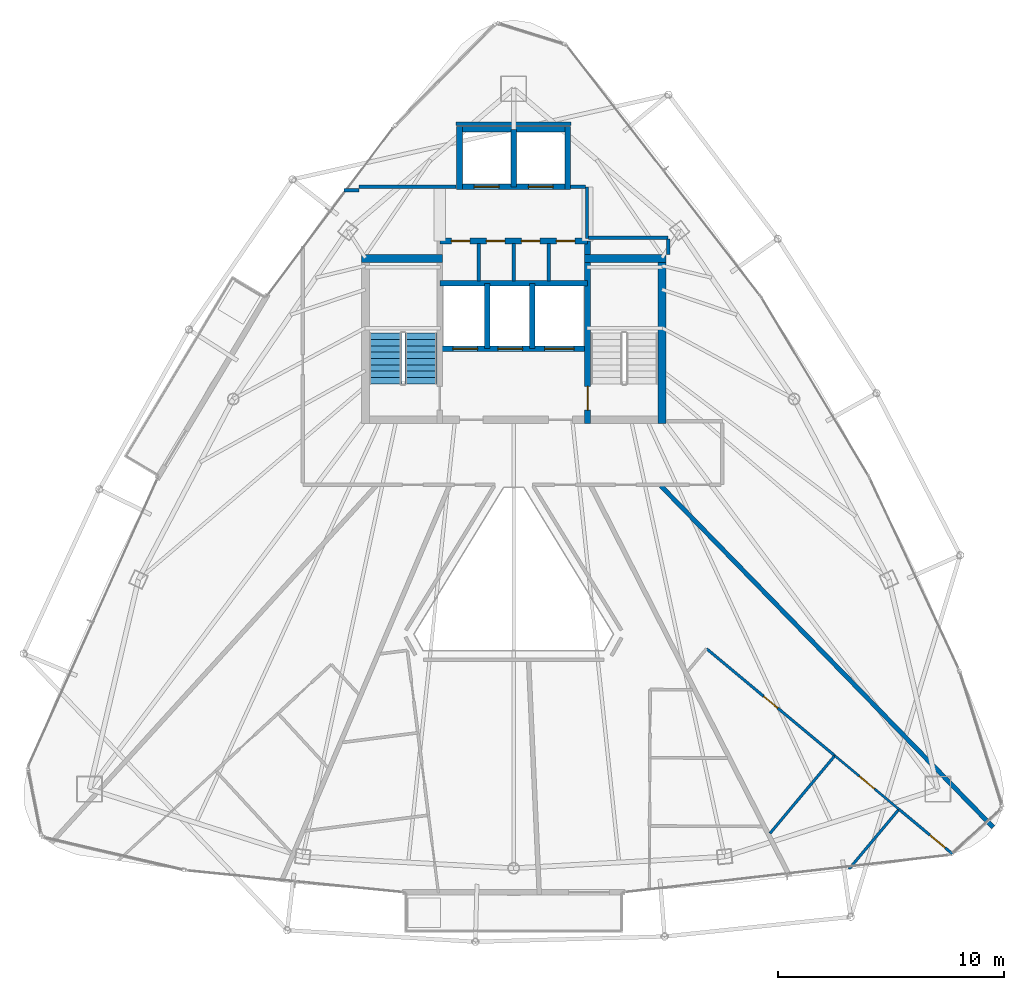
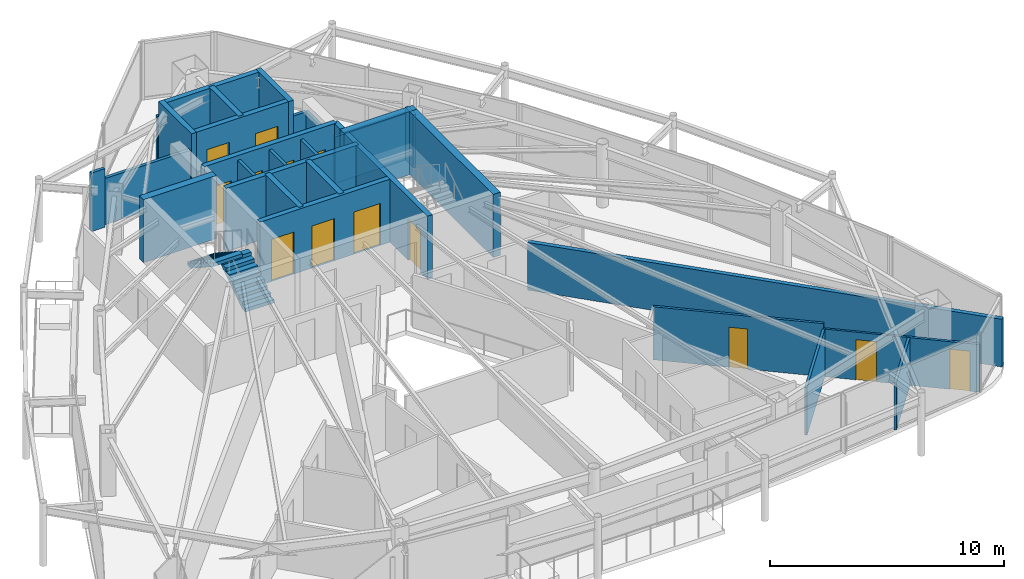
# One storey, part 27 of 30: 30 walls, 13 doors, 2 stair flights, 13 openings, 1 element without a shape of its own.
"""IFC4 building model written with IfcOpenShell, lengths in metres."""

from ifc_helpers import new_model, si_unit, direction, frame, frame_2d, origin, place, context, subcontext, project, spatial, polyline, rectangle, outline, extrude, material, layer, layer_set, type_object, element, fill, aggregate, save


model = new_model("IFC4")

# Units and contexts
model_context = context("Model", 3, precision=1e-05, world=origin(), true_north=direction((0.0, 1.0)))
body_context = subcontext(model_context, "Body", "Model", "MODEL_VIEW")
ifc_project = project(units=[si_unit("LENGTHUNIT", "METRE"), si_unit("AREAUNIT", "SQUARE_METRE"), si_unit("VOLUMEUNIT", "CUBIC_METRE"), si_unit("PLANEANGLEUNIT", "RADIAN"), si_unit("MASSUNIT", "GRAM", prefix="KILO")], contexts=[model_context])

# Site, building, storey
site_placement = place(None, origin())
site = spatial("IfcSite", under=ifc_project, at=site_placement, CompositionType="ELEMENT")
building_placement = place(site_placement, origin())
building = spatial("IfcBuilding", under=site, at=building_placement, Name="Orvanel Arch Residences", CompositionType="ELEMENT")
storey_placement = place(building_placement, frame((0.0, 0.0, 270.050048828125)))
storey = spatial("IfcBuildingStorey", under=building, at=storey_placement, Name="L77", CompositionType="ELEMENT", Elevation=270.050048828125)

# Wall, opening, door
ifc_material_1 = material(Name="Concrete N50 (50 MPa)", Category="concrete")
ifc_layer_1 = layer(ifc_material_1, 0.25)
ifc_layer_set_1 = layer_set([ifc_layer_1], Name="Concrete N50 (50 MPa)")
wall_type_1 = type_object("IfcWallType", Name="SW-CORE-250", PredefinedType="SHEAR", material=ifc_layer_set_1)
wall_1_placement = place(storey_placement, frame((36.27490234375, 26.550048828125, 0.0), z_axis=(0.0, 0.0, 1.0), x_axis=(0.0, 1.0, 0.0)))
wall_1 = element("IfcWall", 1, at=wall_1_placement, inside=storey, type_object=wall_type_1, Name="L77 East Inner Core Spine Shear Wall", PredefinedType="SHEAR", context=body_context, shape_type="SweptSolid", body=[
    extrude(rectangle(XDim=8.099853515625, YDim=0.25, at=frame_2d((4.0498046875, 0.0))), origin(), (0.0, 0.0, 1.0), 3.300048828125),
])
opening_1_placement = place(wall_1_placement, frame((0.60009765625, 0.0, 0.0)))
opening_1 = element("IfcOpeningElement", 2, at=opening_1_placement, cuts=wall_1, Name="Opening DF-120", PredefinedType="OPENING", context=body_context, shape_type="SweptSolid", body=[
    extrude(rectangle(XDim=1.050048828125, YDim=2.14990234375, at=frame_2d((0.52490234375, 1.074951171875))), frame((0.0, 0.135009765625, 0.0), z_axis=(0.0, -1.0, 0.0), x_axis=(1.0, 0.0, 0.0)), (0.0, 0.0, 1.0), 0.27001953125),
])
ifc_material_2 = material(Name="Galvanised steel fire-resisting door assembly", Category="steel")
door_type_1 = type_object("IfcDoorType", Name="DR-FD120-1050", OperationType="NOTDEFINED", PredefinedType="DOOR", material=ifc_material_2)
door_1_placement = place(opening_1_placement, origin())
door_1 = element("IfcDoor", 3, at=door_1_placement, inside=storey, type_object=door_type_1, Name="DR-L77-ST2 L77 Stair 2 Fire Door", OperationType="SINGLE_SWING_RIGHT", OverallHeight=2.14990234375, OverallWidth=1.050048828125, PredefinedType="DOOR", context=body_context, shape_type="SweptSolid", body=[
    extrude(rectangle(XDim=1.050048828125, YDim=2.14990234375, at=frame_2d((0.52490234375, 1.074951171875))), frame((0.0, 0.02490234375, 0.0), z_axis=(0.0, -1.0, 0.0), x_axis=(1.0, 0.0, 0.0)), (0.0, 0.0, 1.0), 0.050048828125),
])
fill(opening_1, door_1)

# Wall, openings, doors
wall_2_placement = place(storey_placement, frame((36.27490234375, 29.875, 0.0), z_axis=(0.0, 0.0, 1.0), x_axis=(-1.0, 0.0, 0.0)))
wall_2 = element("IfcWall", 4, at=wall_2_placement, inside=storey, type_object=wall_type_1, Name="L77 Emergency Lift Front Core Shear Wall", PredefinedType="SHEAR", context=body_context, shape_type="SweptSolid", body=[
    extrude(rectangle(XDim=6.5498046875, YDim=0.25, at=frame_2d((3.27490234375, 0.0))), origin(), (0.0, 0.0, 1.0), 3.300048828125),
])
opening_2_placement = place(wall_2_placement, frame((4.875, 0.0, 0.0)))
opening_2 = element("IfcOpeningElement", 5, at=opening_2_placement, cuts=wall_2, Name="Opening LD-110", PredefinedType="OPENING", context=body_context, shape_type="SweptSolid", body=[
    extrude(rectangle(XDim=1.10009765625, YDim=2.199951171875, at=frame_2d((0.550048828125, 1.10009765625))), frame((0.0, 0.135009765625, 0.0), z_axis=(0.0, -1.0, 0.0), x_axis=(1.0, 0.0, 0.0)), (0.0, 0.0, 1.0), 0.27001953125),
])
opening_3_placement = place(wall_2_placement, frame((2.875, 0.0, 0.0)))
opening_3 = element("IfcOpeningElement", 6, at=opening_3_placement, cuts=wall_2, Name="Opening LD-110", PredefinedType="OPENING", context=body_context, shape_type="SweptSolid", body=[
    extrude(rectangle(XDim=1.10009765625, YDim=2.199951171875, at=frame_2d((0.550048828125, 1.10009765625))), frame((0.0, 0.135009765625, 0.0), z_axis=(0.0, -1.0, 0.0), x_axis=(1.0, 0.0, 0.0)), (0.0, 0.0, 1.0), 0.27001953125),
])
opening_4_placement = place(wall_2_placement, frame((0.60009765625, 0.0, 0.0)))
opening_4 = element("IfcOpeningElement", 7, at=opening_4_placement, cuts=wall_2, Name="Opening LD-130", PredefinedType="OPENING", context=body_context, shape_type="SweptSolid", body=[
    extrude(rectangle(XDim=1.300048828125, YDim=2.199951171875, at=frame_2d((0.64990234375, 1.10009765625))), frame((0.0, 0.135009765625, 0.0), z_axis=(0.0, -1.0, 0.0), x_axis=(1.0, 0.0, 0.0)), (0.0, 0.0, 1.0), 0.27001953125),
])
door_type_2 = type_object("IfcDoorType", Name="DR-LFT-1100", OperationType="NOTDEFINED", PredefinedType="DOOR", material=ifc_material_2)
door_2_placement = place(opening_2_placement, origin())
door_2 = element("IfcDoor", 8, at=door_2_placement, inside=storey, type_object=door_type_2, Name="LD-F1-L77 L77 Lift F1 Sliding Landing Door", OperationType="DOUBLE_DOOR_SLIDING", OverallHeight=2.199951171875, OverallWidth=1.10009765625, PredefinedType="DOOR", context=body_context, shape_type="SweptSolid", body=[
    extrude(rectangle(XDim=1.10009765625, YDim=2.199951171875, at=frame_2d((0.550048828125, 1.10009765625))), frame((0.0, 0.02490234375, 0.0), z_axis=(0.0, -1.0, 0.0), x_axis=(1.0, 0.0, 0.0)), (0.0, 0.0, 1.0), 0.050048828125),
])
fill(opening_2, door_2)
door_3_placement = place(opening_3_placement, origin())
door_3 = element("IfcDoor", 9, at=door_3_placement, inside=storey, type_object=door_type_2, Name="LD-F2-L77 L77 Lift F2 Sliding Landing Door", OperationType="DOUBLE_DOOR_SLIDING", OverallHeight=2.199951171875, OverallWidth=1.10009765625, PredefinedType="DOOR", context=body_context, shape_type="SweptSolid", body=[
    extrude(rectangle(XDim=1.10009765625, YDim=2.199951171875, at=frame_2d((0.550048828125, 1.10009765625))), frame((0.0, 0.02490234375, 0.0), z_axis=(0.0, -1.0, 0.0), x_axis=(1.0, 0.0, 0.0)), (0.0, 0.0, 1.0), 0.050048828125),
])
fill(opening_3, door_3)
door_type_3 = type_object("IfcDoorType", Name="DR-LFT-1300", OperationType="NOTDEFINED", PredefinedType="DOOR", material=ifc_material_2)
door_4_placement = place(opening_4_placement, origin())
door_4 = element("IfcDoor", 10, at=door_4_placement, inside=storey, type_object=door_type_3, Name="LD-G1-L77 L77 Lift G1 Sliding Landing Door", OperationType="DOUBLE_DOOR_SLIDING", OverallHeight=2.199951171875, OverallWidth=1.300048828125, PredefinedType="DOOR", context=body_context, shape_type="SweptSolid", body=[
    extrude(rectangle(XDim=1.300048828125, YDim=2.199951171875, at=frame_2d((0.64990234375, 1.10009765625))), frame((0.0, 0.02490234375, 0.0), z_axis=(0.0, -1.0, 0.0), x_axis=(1.0, 0.0, 0.0)), (0.0, 0.0, 1.0), 0.050048828125),
])
fill(opening_4, door_4)

# Walls
wall_3_placement = place(storey_placement, frame((29.72509765625, 32.77490234375, 0.0), z_axis=(0.0, 0.0, 1.0), x_axis=(1.0, 0.0, 0.0)))
element("IfcWall", 11, at=wall_3_placement, inside=storey, type_object=wall_type_1, Name="L77 Emergency Lift Back Core Shear Wall", PredefinedType="SHEAR", context=body_context, shape_type="SweptSolid", body=[
    extrude(rectangle(XDim=6.5498046875, YDim=0.25, at=frame_2d((3.27490234375, 0.0))), origin(), (0.0, 0.0, 1.0), 3.300048828125),
])
for number, where, z_axis, x_axis, name in (
    (12, (31.824951171875, 29.875, 0.0), (0.0, 0.0, 1.0), (0.0, 1.0, 0.0), "L77 Emergency Lift Inter-Shaft Wall F12"),
    (13, (33.824951171875, 29.875, 0.0), (0.0, 0.0, 1.0), (0.0, 1.0, 0.0), "L77 Emergency Lift Inter-Shaft Wall F2G"),
):
    element("IfcWall", number, at=place(storey_placement, frame(where, z_axis=z_axis, x_axis=x_axis)), inside=storey, type_object=wall_type_1, Name=name, PredefinedType="SHEAR", context=body_context, shape_type="SweptSolid", body=[
        extrude(rectangle(XDim=2.89990234375, YDim=0.25, at=frame_2d((1.449951171875, 0.0))), origin(), (0.0, 0.0, 1.0), 3.300048828125),
    ])

# Wall, openings, doors
wall_4_placement = place(storey_placement, frame((29.72509765625, 34.64990234375, 0.0), z_axis=(0.0, 0.0, 1.0), x_axis=(1.0, 0.0, 0.0)))
wall_4 = element("IfcWall", 14, at=wall_4_placement, inside=storey, type_object=wall_type_1, Name="L77 Core Service Band North Shear Wall", PredefinedType="SHEAR", context=body_context, shape_type="SweptSolid", body=[
    extrude(rectangle(XDim=6.5498046875, YDim=0.25, at=frame_2d((3.27490234375, 0.0))), origin(), (0.0, 0.0, 1.0), 3.300048828125),
])
opening_5_placement = place(wall_4_placement, frame((0.514892578125, 0.0, 0.0)))
opening_5 = element("IfcOpeningElement", 15, at=opening_5_placement, cuts=wall_4, Name="Opening DS-082", PredefinedType="OPENING", context=body_context, shape_type="SweptSolid", body=[
    extrude(rectangle(XDim=0.820068359375, YDim=2.10009765625, at=frame_2d((0.41015625, 1.050048828125))), frame((0.0, 0.135009765625, 0.0), z_axis=(0.0, -1.0, 0.0), x_axis=(1.0, 0.0, 0.0)), (0.0, 0.0, 1.0), 0.27001953125),
])
opening_6_placement = place(wall_4_placement, frame((2.06494140625, 0.0, 0.0)))
opening_6 = element("IfcOpeningElement", 16, at=opening_6_placement, cuts=wall_4, Name="Opening DS-082", PredefinedType="OPENING", context=body_context, shape_type="SweptSolid", body=[
    extrude(rectangle(XDim=0.820068359375, YDim=2.10009765625, at=frame_2d((0.41015625, 1.050048828125))), frame((0.0, 0.135009765625, 0.0), z_axis=(0.0, -1.0, 0.0), x_axis=(1.0, 0.0, 0.0)), (0.0, 0.0, 1.0), 0.27001953125),
])
opening_7_placement = place(wall_4_placement, frame((3.614990234375, 0.0, 0.0)))
opening_7 = element("IfcOpeningElement", 17, at=opening_7_placement, cuts=wall_4, Name="Opening DS-082", PredefinedType="OPENING", context=body_context, shape_type="SweptSolid", body=[
    extrude(rectangle(XDim=0.820068359375, YDim=2.10009765625, at=frame_2d((0.41015625, 1.050048828125))), frame((0.0, 0.135009765625, 0.0), z_axis=(0.0, -1.0, 0.0), x_axis=(1.0, 0.0, 0.0)), (0.0, 0.0, 1.0), 0.27001953125),
])
opening_8_placement = place(wall_4_placement, frame((5.1650390625, 0.0, 0.0)))
opening_8 = element("IfcOpeningElement", 18, at=opening_8_placement, cuts=wall_4, Name="Opening DS-082", PredefinedType="OPENING", context=body_context, shape_type="SweptSolid", body=[
    extrude(rectangle(XDim=0.820068359375, YDim=2.10009765625, at=frame_2d((0.41015625, 1.050048828125))), frame((0.0, 0.135009765625, 0.0), z_axis=(0.0, -1.0, 0.0), x_axis=(1.0, 0.0, 0.0)), (0.0, 0.0, 1.0), 0.27001953125),
])
door_type_4 = type_object("IfcDoorType", Name="DR-SVC-820", OperationType="NOTDEFINED", PredefinedType="DOOR", material=ifc_material_2)
door_5_placement = place(opening_5_placement, origin())
door_5 = element("IfcDoor", 19, at=door_5_placement, inside=storey, type_object=door_type_4, Name="DR-L77-CSVC-1 L77 Linen Store Door", OperationType="SINGLE_SWING_LEFT", OverallHeight=2.10009765625, OverallWidth=0.820068359375, PredefinedType="DOOR", context=body_context, shape_type="SweptSolid", body=[
    extrude(rectangle(XDim=0.820068359375, YDim=2.10009765625, at=frame_2d((0.41015625, 1.050048828125))), frame((0.0, 0.02490234375, 0.0), z_axis=(0.0, -1.0, 0.0), x_axis=(1.0, 0.0, 0.0)), (0.0, 0.0, 1.0), 0.050048828125),
])
fill(opening_5, door_5)
door_6_placement = place(opening_6_placement, origin())
door_6 = element("IfcDoor", 20, at=door_6_placement, inside=storey, type_object=door_type_4, Name="DR-L77-CSVC-2 L77 Cleaner's Store Door", OperationType="SINGLE_SWING_LEFT", OverallHeight=2.10009765625, OverallWidth=0.820068359375, PredefinedType="DOOR", context=body_context, shape_type="SweptSolid", body=[
    extrude(rectangle(XDim=0.820068359375, YDim=2.10009765625, at=frame_2d((0.41015625, 1.050048828125))), frame((0.0, 0.02490234375, 0.0), z_axis=(0.0, -1.0, 0.0), x_axis=(1.0, 0.0, 0.0)), (0.0, 0.0, 1.0), 0.050048828125),
])
fill(opening_6, door_6)
door_7_placement = place(opening_7_placement, origin())
door_7 = element("IfcDoor", 21, at=door_7_placement, inside=storey, type_object=door_type_4, Name="DR-L77-CSVC-3 L77 Electrical Meter Store Door", OperationType="SINGLE_SWING_LEFT", OverallHeight=2.10009765625, OverallWidth=0.820068359375, PredefinedType="DOOR", context=body_context, shape_type="SweptSolid", body=[
    extrude(rectangle(XDim=0.820068359375, YDim=2.10009765625, at=frame_2d((0.41015625, 1.050048828125))), frame((0.0, 0.02490234375, 0.0), z_axis=(0.0, -1.0, 0.0), x_axis=(1.0, 0.0, 0.0)), (0.0, 0.0, 1.0), 0.050048828125),
])
fill(opening_7, door_7)
door_8_placement = place(opening_8_placement, origin())
door_8 = element("IfcDoor", 22, at=door_8_placement, inside=storey, type_object=door_type_4, Name="DR-L77-CSVC-4 L77 Housekeeping Supply Store Door", OperationType="SINGLE_SWING_LEFT", OverallHeight=2.10009765625, OverallWidth=0.820068359375, PredefinedType="DOOR", context=body_context, shape_type="SweptSolid", body=[
    extrude(rectangle(XDim=0.820068359375, YDim=2.10009765625, at=frame_2d((0.41015625, 1.050048828125))), frame((0.0, 0.02490234375, 0.0), z_axis=(0.0, -1.0, 0.0), x_axis=(1.0, 0.0, 0.0)), (0.0, 0.0, 1.0), 0.050048828125),
])
fill(opening_8, door_8)

wall_5_placement = place(storey_placement, frame((35.52490234375, 37.050048828125, 0.0), z_axis=(0.0, 0.0, 1.0), x_axis=(-1.0, 0.0, 0.0)))
wall_5 = element("IfcWall", 23, at=wall_5_placement, inside=storey, type_object=wall_type_1, Name="L77 Passenger Lift Bank Front Shear Wall", PredefinedType="SHEAR", context=body_context, shape_type="SweptSolid", body=[
    extrude(rectangle(XDim=5.0498046875, YDim=0.25, at=frame_2d((2.52490234375, 0.0))), origin(), (0.0, 0.0, 1.0), 3.300048828125),
])
opening_9_placement = place(wall_5_placement, frame((3.175048828125, 0.0, 0.0)))
opening_9 = element("IfcOpeningElement", 24, at=opening_9_placement, cuts=wall_5, Name="Opening LD-110", PredefinedType="OPENING", context=body_context, shape_type="SweptSolid", body=[
    extrude(rectangle(XDim=1.10009765625, YDim=2.199951171875, at=frame_2d((0.550048828125, 1.10009765625))), frame((0.0, 0.135009765625, 0.0), z_axis=(0.0, -1.0, 0.0), x_axis=(1.0, 0.0, 0.0)), (0.0, 0.0, 1.0), 0.27001953125),
])
opening_10_placement = place(wall_5_placement, frame((0.77490234375, 0.0, 0.0)))
opening_10 = element("IfcOpeningElement", 25, at=opening_10_placement, cuts=wall_5, Name="Opening LD-110", PredefinedType="OPENING", context=body_context, shape_type="SweptSolid", body=[
    extrude(rectangle(XDim=1.10009765625, YDim=2.199951171875, at=frame_2d((0.550048828125, 1.10009765625))), frame((0.0, 0.135009765625, 0.0), z_axis=(0.0, -1.0, 0.0), x_axis=(1.0, 0.0, 0.0)), (0.0, 0.0, 1.0), 0.27001953125),
])
door_9_placement = place(opening_9_placement, origin())
door_9 = element("IfcDoor", 26, at=door_9_placement, inside=storey, type_object=door_type_2, Name="LD-P5-L77 L77 Passenger Lift P5 Sliding Landing Door", OperationType="DOUBLE_DOOR_SLIDING", OverallHeight=2.199951171875, OverallWidth=1.10009765625, PredefinedType="DOOR", context=body_context, shape_type="SweptSolid", body=[
    extrude(rectangle(XDim=1.10009765625, YDim=2.199951171875, at=frame_2d((0.550048828125, 1.10009765625))), frame((0.0, 0.02490234375, 0.0), z_axis=(0.0, -1.0, 0.0), x_axis=(1.0, 0.0, 0.0)), (0.0, 0.0, 1.0), 0.050048828125),
])
fill(opening_9, door_9)
door_10_placement = place(opening_10_placement, origin())
door_10 = element("IfcDoor", 27, at=door_10_placement, inside=storey, type_object=door_type_2, Name="LD-P6-L77 L77 Passenger Lift P6 Sliding Landing Door", OperationType="DOUBLE_DOOR_SLIDING", OverallHeight=2.199951171875, OverallWidth=1.10009765625, PredefinedType="DOOR", context=body_context, shape_type="SweptSolid", body=[
    extrude(rectangle(XDim=1.10009765625, YDim=2.199951171875, at=frame_2d((0.550048828125, 1.10009765625))), frame((0.0, 0.02490234375, 0.0), z_axis=(0.0, -1.0, 0.0), x_axis=(1.0, 0.0, 0.0)), (0.0, 0.0, 1.0), 0.050048828125),
])
fill(opening_10, door_10)

# Walls
wall_6_placement = place(storey_placement, frame((30.47509765625, 39.60009765625, 0.0), z_axis=(0.0, 0.0, 1.0), x_axis=(1.0, 0.0, 0.0)))
element("IfcWall", 28, at=wall_6_placement, inside=storey, type_object=wall_type_1, Name="L77 Passenger Lift Bank North Shear Wall", PredefinedType="SHEAR", context=body_context, shape_type="SweptSolid", body=[
    extrude(rectangle(XDim=5.0498046875, YDim=0.25, at=frame_2d((2.52490234375, 0.0))), origin(), (0.0, 0.0, 1.0), 3.300048828125),
])
for number, where, z_axis, x_axis, name in (
    (29, (30.60009765625, 36.925048828125, 0.0), (0.0, 0.0, 1.0), (0.0, 1.0, 0.0), "L77 Passenger Lift Bank West Shear Wall"),
    (30, (35.39990234375, 36.925048828125, 0.0), (0.0, 0.0, 1.0), (0.0, 1.0, 0.0), "L77 Passenger Lift Bank East Shear Wall"),
):
    element("IfcWall", number, at=place(storey_placement, frame(where, z_axis=z_axis, x_axis=x_axis)), inside=storey, type_object=wall_type_1, Name=name, PredefinedType="SHEAR", context=body_context, shape_type="SweptSolid", body=[
        extrude(rectangle(XDim=2.800048828125, YDim=0.25, at=frame_2d((1.39990234375, 0.0))), origin(), (0.0, 0.0, 1.0), 3.300048828125),
    ])
wall_7_placement = place(storey_placement, frame((33.0, 37.050048828125, 0.0), z_axis=(0.0, 0.0, 1.0), x_axis=(0.0, 1.0, 0.0)))
element("IfcWall", 31, at=wall_7_placement, inside=storey, type_object=wall_type_1, Name="L77 Passenger Lift Inter-Shaft Wall P56", PredefinedType="SHEAR", context=body_context, shape_type="SweptSolid", body=[
    extrude(rectangle(XDim=2.550048828125, YDim=0.25, at=frame_2d((1.27490234375, 0.0))), origin(), (0.0, 0.0, 1.0), 3.300048828125),
])
ifc_layer_2 = layer(ifc_material_1, 0.35009765625)
ifc_layer_set_2 = layer_set([ifc_layer_2], Name="Concrete N50 (50 MPa)")
wall_type_2 = type_object("IfcWallType", Name="SW-CORE-350", PredefinedType="SHEAR", material=ifc_layer_set_2)
wall_8_placement = place(storey_placement, frame((26.25, 33.875, 0.0), z_axis=(0.0, 0.0, 1.0), x_axis=(1.0, 0.0, 0.0)))
element("IfcWall", 32, at=wall_8_placement, inside=storey, type_object=wall_type_2, Name="L77 West Stair North Shear Wall", PredefinedType="SHEAR", context=body_context, shape_type="SweptSolid", body=[
    extrude(rectangle(XDim=3.60009765625, YDim=0.35009765625, at=frame_2d((1.800048828125, 0.0))), origin(), (0.0, 0.0, 1.0), 3.300048828125),
])
wall_9_placement = place(storey_placement, frame((39.574951171875, 26.550048828125, 0.0), z_axis=(0.0, 0.0, 1.0), x_axis=(0.0, 1.0, 0.0)))
element("IfcWall", 33, at=wall_9_placement, inside=storey, type_object=wall_type_2, Name="L77 East Stair Shear Wall", PredefinedType="SHEAR", context=body_context, shape_type="SweptSolid", body=[
    extrude(rectangle(XDim=7.5, YDim=0.35009765625, at=frame_2d((3.75, 0.0))), origin(), (0.0, 0.0, 1.0), 3.300048828125),
])
wall_10_placement = place(storey_placement, frame((36.14990234375, 33.875, 0.0), z_axis=(0.0, 0.0, 1.0), x_axis=(1.0, 0.0, 0.0)))
element("IfcWall", 34, at=wall_10_placement, inside=storey, type_object=wall_type_2, Name="L77 East Stair North Shear Wall", PredefinedType="SHEAR", context=body_context, shape_type="SweptSolid", body=[
    extrude(rectangle(XDim=3.60009765625, YDim=0.35009765625, at=frame_2d((1.800048828125, 0.0))), origin(), (0.0, 0.0, 1.0), 3.300048828125),
])
ifc_material_3 = material(Name="Fire-rated plasterboard lined steel stud partition", Category="steel")
ifc_layer_3 = layer(ifc_material_3, 0.14990234375)
ifc_layer_set_3 = layer_set([ifc_layer_3], Name="Fire-rated plasterboard lined steel stud partition")
wall_type_3 = type_object("IfcWallType", Name="W-COR-150", PredefinedType="PARTITIONING", material=ifc_layer_set_3)
wall_11_placement = place(storey_placement, frame((36.25, 34.760009765625, 0.0), z_axis=(0.0, 0.0, 1.0), x_axis=(0.0, 1.0, 0.0)))
element("IfcWall", 35, at=wall_11_placement, inside=storey, type_object=wall_type_3, Name="L77 Passenger Lift Lobby East Closure Wall", PredefinedType="PARTITIONING", context=body_context, shape_type="SweptSolid", body=[
    extrude(rectangle(XDim=2.2900390625, YDim=0.14990234375, at=frame_2d((1.14501953125, 0.0))), origin(), (0.0, 0.0, 1.0), 2.425048828125),
])
wall_12_placement = place(storey_placement, frame((35.52490234375, 37.050048828125, 0.0), z_axis=(0.0, 0.0, 1.0), x_axis=(1.0, 0.0, 0.0)))
element("IfcWall", 36, at=wall_12_placement, inside=storey, type_object=wall_type_3, Name="L77 Passenger Lift Lobby North-East Wall", PredefinedType="PARTITIONING", context=body_context, shape_type="SweptSolid", body=[
    extrude(rectangle(XDim=0.6650390625, YDim=0.14990234375, at=frame_2d((0.33251953125, 0.0))), origin(), (0.0, 0.0, 1.0), 2.425048828125),
])
wall_13_placement = place(storey_placement, frame((25.47705078125, 36.89990234375, 0.0), z_axis=(0.0, 0.0, 1.0), x_axis=(1.0, 0.0, 0.0)))
element("IfcWall", 37, at=wall_13_placement, inside=storey, type_object=wall_type_3, Name="L77 Corridor Fire-Rated Partition", PredefinedType="PARTITIONING", context=body_context, shape_type="SweptSolid", body=[
    extrude(rectangle(XDim=0.6728515625, YDim=0.14990234375, at=frame_2d((0.33642578125, 0.0))), origin(), (0.0, 0.0, 1.0), 3.06005859375),
])
wall_14_placement = place(storey_placement, frame((26.14990234375, 37.050048828125, 0.0), z_axis=(0.0, 0.0, 1.0), x_axis=(1.0, 0.0, 0.0)))
element("IfcWall", 38, at=wall_14_placement, inside=storey, type_object=wall_type_3, Name="L77 Core Perimeter Partition", PredefinedType="PARTITIONING", context=body_context, shape_type="SweptSolid", body=[
    extrude(rectangle(XDim=4.300048828125, YDim=0.14990234375, at=frame_2d((2.14990234375, 0.0))), origin(), (0.0, 0.0, 1.0), 2.425048828125),
])
wall_15_placement = place(storey_placement, frame((30.449951171875, 39.85009765625, 0.0), z_axis=(0.0, 0.0, 1.0), x_axis=(1.0, 0.0, 0.0)))
element("IfcWall", 39, at=wall_15_placement, inside=storey, type_object=wall_type_3, Name="L77 Core Perimeter Partition", PredefinedType="PARTITIONING", context=body_context, shape_type="SweptSolid", body=[
    extrude(rectangle(XDim=5.10009765625, YDim=0.14990234375, at=frame_2d((2.550048828125, 0.0))), origin(), (0.0, 0.0, 1.0), 2.491943359375),
])
wall_16_placement = place(storey_placement, frame((36.31005859375, 34.800048828125, 0.0), z_axis=(0.0, 0.0, 1.0), x_axis=(1.0, 0.0, 0.0)))
element("IfcWall", 40, at=wall_16_placement, inside=storey, type_object=wall_type_3, Name="L77 Core Perimeter Partition", PredefinedType="PARTITIONING", context=body_context, shape_type="SweptSolid", body=[
    extrude(rectangle(XDim=3.5400390625, YDim=0.14990234375, at=frame_2d((1.77001953125, 0.0))), origin(), (0.0, 0.0, 1.0), 2.425048828125),
])
wall_17_placement = place(storey_placement, frame((39.85009765625, 34.739990234375, 0.0), z_axis=(0.0, 0.0, 1.0), x_axis=(0.0, -1.0, 0.0)))
element("IfcWall", 41, at=wall_17_placement, inside=storey, type_object=wall_type_3, Name="L77 Core Perimeter Partition", PredefinedType="PARTITIONING", context=body_context, shape_type="SweptSolid", body=[
    extrude(rectangle(XDim=0.68994140625, YDim=0.14990234375, at=frame_2d((0.344970703125, 0.0))), origin(), (0.0, 0.0, 1.0), 2.77294921875),
])
ifc_layer_4 = layer(ifc_material_3, 0.199951171875)
ifc_layer_set_4 = layer_set([ifc_layer_4], Name="Fire-rated plasterboard lined steel stud partition")
wall_type_4 = type_object("IfcWallType", Name="W-DEM-200", PredefinedType="PARTITIONING", material=ifc_layer_set_4)
wall_18_placement = place(storey_placement, frame((54.2548828125, 8.656982421875, 0.0), z_axis=(0.0, 0.0, 1.0), x_axis=(-0.69739814005, 0.716683915164, 0.0)))
element("IfcWall", 42, at=wall_18_placement, inside=storey, type_object=wall_type_4, Name="L77 Inter-Tenancy Acoustic Demising Wall", PredefinedType="PARTITIONING", context=body_context, shape_type="SweptSolid", body=[
    extrude(rectangle(XDim=21.115478515625, YDim=0.199951171875, at=frame_2d((10.5576171875, 0.0))), origin(), (0.0, 0.0, 1.0), 2.491943359375),
])

# Wall, opening, door
ifc_material_4 = material(Name="Acoustic plasterboard lined twin-stud partition", Category="gypsum")
ifc_layer_5 = layer(ifc_material_4, 0.10009765625)
ifc_layer_set_5 = layer_set([ifc_layer_5], Name="Acoustic plasterboard lined twin-stud partition")
wall_type_5 = type_object("IfcWallType", Name="W-INT-100", PredefinedType="PARTITIONING", material=ifc_layer_set_5)
wall_19_placement = place(storey_placement, frame((50.0791015625, 9.4580078125, 0.0), z_axis=(0.0, 0.0, 1.0), x_axis=(-0.767707674805, 0.640800223195, 0.0)))
wall_19 = element("IfcWall", 43, at=wall_19_placement, inside=storey, type_object=wall_type_5, Name="L77 Studio B Internal Partition", PredefinedType="PARTITIONING", context=body_context, shape_type="SweptSolid", body=[
    extrude(rectangle(XDim=3.703369140625, YDim=0.10009765625, at=frame_2d((1.8515625, 0.0))), origin(), (0.0, 0.0, 1.0), 2.491943359375),
])
opening_11_placement = place(wall_19_placement, frame((1.412109375, 0.0, 0.0)))
opening_11 = element("IfcOpeningElement", 44, at=opening_11_placement, cuts=wall_19, Name="Opening DI-088", PredefinedType="OPENING", context=body_context, shape_type="SweptSolid", body=[
    extrude(rectangle(XDim=0.8798828125, YDim=2.10009765625, at=frame_2d((0.43994140625, 1.050048828125))), frame((0.0, 0.06005859375, 0.0), z_axis=(0.0, -1.0, 0.0), x_axis=(1.0, 0.0, 0.0)), (0.0, 0.0, 1.0), 0.1201171875),
])
ifc_material_5 = material(Name="Solid-core European oak veneer fire door leaf", Category="wood")
door_type_5 = type_object("IfcDoorType", Name="DR-INT-880", OperationType="NOTDEFINED", PredefinedType="DOOR", material=ifc_material_5)
door_11_placement = place(opening_11_placement, origin())
door_11 = element("IfcDoor", 45, at=door_11_placement, inside=storey, type_object=door_type_5, Name="DR-L77-B-CAR1 L77 Studio B Allied Health Consulting Room 2 Door", OperationType="SINGLE_SWING_LEFT", OverallHeight=2.10009765625, OverallWidth=0.8798828125, PredefinedType="DOOR", context=body_context, shape_type="SweptSolid", body=[
    extrude(rectangle(XDim=0.8798828125, YDim=2.10009765625, at=frame_2d((0.43994140625, 1.050048828125))), frame((0.0, 0.02490234375, 0.0), z_axis=(0.0, -1.0, 0.0), x_axis=(1.0, 0.0, 0.0)), (0.0, 0.0, 1.0), 0.050048828125),
])
fill(opening_11, door_11)

# Walls
ifc_layer_6 = layer(ifc_material_3, 0.14990234375)
ifc_layer_set_6 = layer_set([ifc_layer_6], Name="Fire-rated plasterboard lined steel stud partition")
wall_type_6 = type_object("IfcWallType", Name="W-ST-150", PredefinedType="PARTITIONING", material=ifc_layer_set_6)
for number, where, z_axis, x_axis, name in (
    (46, (31.449951171875, 32.885009765625, 0.0), (0.0, 0.0, 1.0), (0.0, 1.0, 0.0), "L77 Core Service Partition 1"),
    (47, (33.0, 32.885009765625, 0.0), (0.0, 0.0, 1.0), (0.0, 1.0, 0.0), "L77 Core Service Partition 2"),
    (48, (34.550048828125, 32.885009765625, 0.0), (0.0, 0.0, 1.0), (0.0, 1.0, 0.0), "L77 Core Service Partition 3"),
):
    element("IfcWall", number, at=place(storey_placement, frame(where, z_axis=z_axis, x_axis=x_axis)), inside=storey, type_object=wall_type_6, Name=name, PredefinedType="PARTITIONING", context=body_context, shape_type="SweptSolid", body=[
        extrude(rectangle(XDim=1.655029296875, YDim=0.14990234375, at=frame_2d((0.82763671875, 0.0))), origin(), (0.0, 0.0, 1.0), 3.06005859375),
    ])

# Wall, opening, door
ifc_layer_7 = layer(ifc_material_4, 0.1201171875)
ifc_layer_set_7 = layer_set([ifc_layer_7], Name="Acoustic plasterboard lined twin-stud partition")
wall_type_7 = type_object("IfcWallType", Name="W-WET-120", PredefinedType="PARTITIONING", material=ifc_layer_set_7)
wall_20_placement = place(storey_placement, frame((47.236083984375, 11.8310546875, 0.0), z_axis=(0.0, 0.0, 1.0), x_axis=(-0.767842880201, 0.640638206264, 0.0)))
wall_20 = element("IfcWall", 49, at=wall_20_placement, inside=storey, type_object=wall_type_7, Name="L77 Studio B Bathroom Partition", PredefinedType="PARTITIONING", context=body_context, shape_type="SweptSolid", body=[
    extrude(rectangle(XDim=7.406494140625, YDim=0.1201171875, at=frame_2d((3.703125, 0.0))), origin(), (0.0, 0.0, 1.0), 2.77294921875),
])
opening_12_placement = place(wall_20_placement, frame((3.29296875, 0.0, 0.0)))
opening_12 = element("IfcOpeningElement", 50, at=opening_12_placement, cuts=wall_20, Name="Opening DW-082", PredefinedType="OPENING", context=body_context, shape_type="SweptSolid", body=[
    extrude(rectangle(XDim=0.820068359375, YDim=2.10009765625, at=frame_2d((0.41015625, 1.050048828125))), frame((0.0, 0.070068359375, 0.0), z_axis=(0.0, -1.0, 0.0), x_axis=(1.0, 0.0, 0.0)), (0.0, 0.0, 1.0), 0.14013671875),
])
door_type_6 = type_object("IfcDoorType", Name="DR-WET-820", OperationType="NOTDEFINED", PredefinedType="DOOR", material=ifc_material_5)
door_12_placement = place(opening_12_placement, origin())
door_12 = element("IfcDoor", 51, at=door_12_placement, inside=storey, type_object=door_type_6, Name="DR-L77-B-BATH L77 Studio B Bathroom Door", OperationType="SINGLE_SWING_RIGHT", OverallHeight=2.10009765625, OverallWidth=0.820068359375, PredefinedType="DOOR", context=body_context, shape_type="SweptSolid", body=[
    extrude(rectangle(XDim=0.820068359375, YDim=2.10009765625, at=frame_2d((0.41015625, 1.050048828125))), frame((0.0, 0.02490234375, 0.0), z_axis=(0.0, -1.0, 0.0), x_axis=(1.0, 0.0, 0.0)), (0.0, 0.0, 1.0), 0.050048828125),
])
fill(opening_12, door_12)

wall_21_placement = place(storey_placement, frame((52.446044921875, 7.48291015625, 0.0), z_axis=(0.0, 0.0, 1.0), x_axis=(-0.76779917016, 0.640690591707, 0.0)))
wall_21 = element("IfcWall", 52, at=wall_21_placement, inside=storey, type_object=wall_type_7, Name="L77 Studio B Internal Partition", PredefinedType="PARTITIONING", context=body_context, shape_type="SweptSolid", body=[
    extrude(rectangle(XDim=3.082763671875, YDim=0.1201171875, at=frame_2d((1.54150390625, 0.0))), origin(), (0.0, 0.0, 1.0), 2.491943359375),
])
opening_13_placement = place(wall_21_placement, frame((0.41796875, 0.0, 0.0)))
opening_13 = element("IfcOpeningElement", 53, at=opening_13_placement, cuts=wall_21, Name="Opening DI-088", PredefinedType="OPENING", context=body_context, shape_type="SweptSolid", body=[
    extrude(rectangle(XDim=0.8798828125, YDim=2.10009765625, at=frame_2d((0.43994140625, 1.050048828125))), frame((0.0, 0.070068359375, 0.0), z_axis=(0.0, -1.0, 0.0), x_axis=(1.0, 0.0, 0.0)), (0.0, 0.0, 1.0), 0.14013671875),
])
door_13_placement = place(opening_13_placement, origin())
door_13 = element("IfcDoor", 54, at=door_13_placement, inside=storey, type_object=door_type_5, Name="DR-L77-B-KIT L77 Studio B Kitchenette Door", OperationType="SINGLE_SWING_LEFT", OverallHeight=2.10009765625, OverallWidth=0.8798828125, PredefinedType="DOOR", context=body_context, shape_type="SweptSolid", body=[
    extrude(rectangle(XDim=0.8798828125, YDim=2.10009765625, at=frame_2d((0.43994140625, 1.050048828125))), frame((0.0, 0.02490234375, 0.0), z_axis=(0.0, -1.0, 0.0), x_axis=(1.0, 0.0, 0.0)), (0.0, 0.0, 1.0), 0.050048828125),
])
fill(opening_13, door_13)

# Walls
wall_22_placement = place(storey_placement, frame((47.236083984375, 11.8310546875, 0.0), z_axis=(0.0, 0.0, 1.0), x_axis=(-0.640810637278, -0.767698982122, 0.0)))
element("IfcWall", 55, at=wall_22_placement, inside=storey, type_object=wall_type_7, Name="L77 Studio B Bathroom Partition", PredefinedType="PARTITIONING", context=body_context, shape_type="SweptSolid", body=[
    extrude(rectangle(XDim=4.48486328125, YDim=0.1201171875, at=frame_2d((2.242431640625, 0.0))), origin(), (0.0, 0.0, 1.0), 2.491943359375),
])
wall_23_placement = place(storey_placement, frame((47.865966796875, 6.806884765625, 0.0), z_axis=(0.0, 0.0, 1.0), x_axis=(0.640844750015, 0.767670506388, 0.0)))
element("IfcWall", 56, at=wall_23_placement, inside=storey, type_object=wall_type_7, Name="L77 Studio B Internal Partition", PredefinedType="PARTITIONING", context=body_context, shape_type="SweptSolid", body=[
    extrude(rectangle(XDim=3.453369140625, YDim=0.1201171875, at=frame_2d((1.7265625, 0.0))), origin(), (0.0, 0.0, 1.0), 2.491943359375),
])

# Stair, stair flights
ifc_material_6 = material(Name="Precast concrete N50 (50 MPa)", Category="concrete")
stair_type = type_object("IfcStairType", Name="STR-DOG-184", PredefinedType="USERDEFINED", material=ifc_material_6)
stair_placement = place(storey_placement, origin())
stair = element("IfcStair", 57, at=stair_placement, inside=storey, type_object=stair_type, Name="L77 Fire-Isolated Core Exit Stair 1", ObjectType="TWO_RETURN_STAIR", PredefinedType="USERDEFINED")
stair_flight_type = type_object("IfcStairFlightType", Name="SFL-C1-184", PredefinedType="STRAIGHT", material=ifc_material_6)
stair_flight_1_placement = place(storey_placement, frame((28.889892578125, 28.320068359375, 0.0), z_axis=(0.0, 0.0, 1.0), x_axis=(0.0, 1.0, 0.0)))
stair_flight_1 = element("IfcStairFlight", 58, at=stair_flight_1_placement, type_object=stair_flight_type, Name="ST-1 flight 1", NumberOfRisers=9, NumberOfTreads=8, PredefinedType="STRAIGHT", RiserHeight=0.183333333, TreadLength=0.28, context=body_context, shape_type="SweptSolid", body=[
    extrude(outline(polyline([(0.0, 0.0), (0.0, 0.183349609375), (0.280029296875, 0.183349609375), (0.280029296875, 0.36669921875), (0.56005859375, 0.36669921875), (0.56005859375, 0.550048828125), (0.840087890625, 0.550048828125), (0.840087890625, 0.7333984375), (1.1201171875, 0.7333984375), (1.1201171875, 0.916748046875), (1.39990234375, 0.916748046875), (1.39990234375, 1.10009765625), (1.679931640625, 1.10009765625), (1.679931640625, 1.283447265625), (1.9599609375, 1.283447265625), (1.9599609375, 1.466552734375), (2.239990234375, 1.466552734375), (2.239990234375, 1.64990234375), (2.239990234375, 1.28759765625), (0.273681640625, 0.0), (0.0, 0.0)])), frame((0.0, 0.7099609375, 0.0), z_axis=(0.0, -1.0, 0.0), x_axis=(1.0, 0.0, 0.0)), (0.0, 0.0, 1.0), 1.419921875),
])
stair_flight_2_placement = place(storey_placement, frame((27.31005859375, 30.56005859375, 1.64990234375), z_axis=(0.0, 0.0, 1.0), x_axis=(0.0, -1.0, 0.0)))
stair_flight_2 = element("IfcStairFlight", 59, at=stair_flight_2_placement, type_object=stair_flight_type, Name="ST-1 flight 2", NumberOfRisers=9, NumberOfTreads=8, PredefinedType="STRAIGHT", RiserHeight=0.183333333, TreadLength=0.28, context=body_context, shape_type="SweptSolid", body=[
    extrude(outline(polyline([(0.0, 0.0), (0.0, 0.183349609375), (0.280029296875, 0.183349609375), (0.280029296875, 0.36669921875), (0.56005859375, 0.36669921875), (0.56005859375, 0.550048828125), (0.840087890625, 0.550048828125), (0.840087890625, 0.7333984375), (1.1201171875, 0.7333984375), (1.1201171875, 0.916748046875), (1.39990234375, 0.916748046875), (1.39990234375, 1.10009765625), (1.679931640625, 1.10009765625), (1.679931640625, 1.283447265625), (1.9599609375, 1.283447265625), (1.9599609375, 1.466552734375), (2.239990234375, 1.466552734375), (2.239990234375, 1.64990234375), (2.239990234375, 1.28759765625), (0.273681640625, 0.0), (0.0, 0.0)])), frame((0.0, 0.7099609375, 0.0), z_axis=(0.0, -1.0, 0.0), x_axis=(1.0, 0.0, 0.0)), (0.0, 0.0, 1.0), 1.419921875),
])
aggregate(stair, [stair_flight_1, stair_flight_2])

save(model, "model.ifc")
